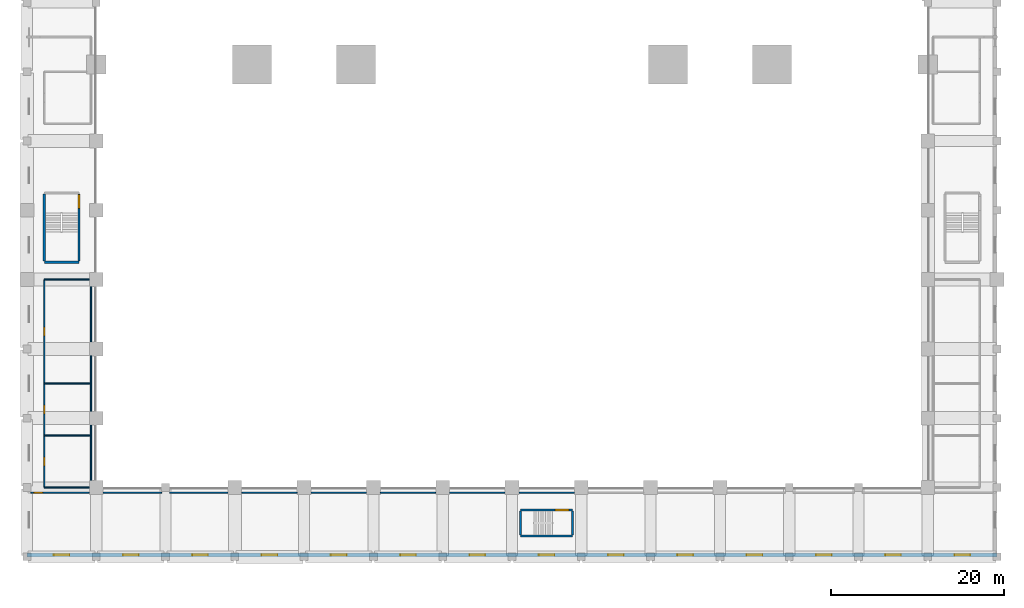
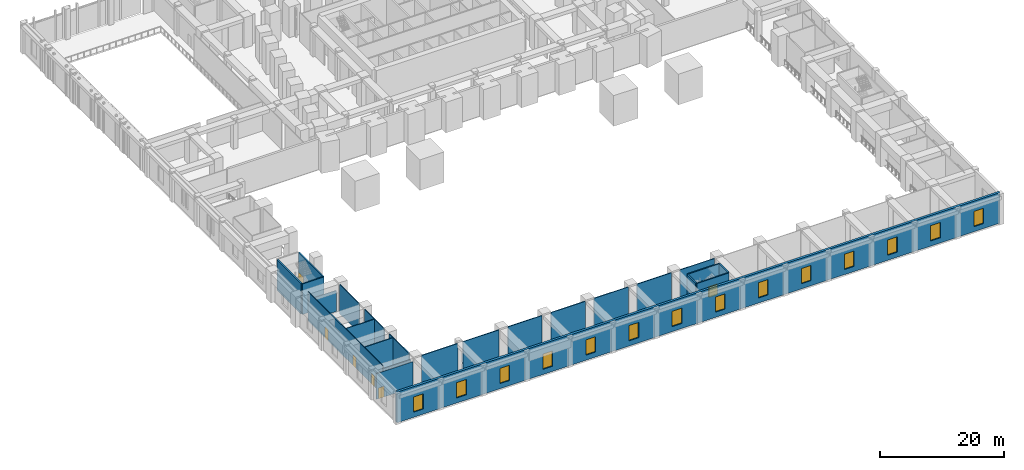
# One storey, part 6 of 25: 24 walls, 14 windows, 6 doors, 20 openings.
"""IFC4 building model written with IfcOpenShell, lengths in metres."""

from ifc_helpers import new_model, si_unit, direction, frame, frame_2d, origin, place, context, subcontext, project, spatial, rectangle, extrude, material, layer, layer_set, type_object, element, fill, save


model = new_model("IFC4")

# Units and contexts
model_context = context("Model", 3, precision=1e-05, world=origin(), true_north=direction((0.0, 1.0)))
body_context = subcontext(model_context, "Body", "Model", "MODEL_VIEW")
ifc_project = project(units=[si_unit("LENGTHUNIT", "METRE"), si_unit("AREAUNIT", "SQUARE_METRE"), si_unit("VOLUMEUNIT", "CUBIC_METRE"), si_unit("PLANEANGLEUNIT", "RADIAN"), si_unit("MASSUNIT", "GRAM", prefix="KILO")], contexts=[model_context])

# Site, building, storey
site_placement = place(None, origin())
site = spatial("IfcSite", under=ifc_project, at=site_placement, CompositionType="ELEMENT")
building_placement = place(site_placement, origin())
building = spatial("IfcBuilding", under=site, at=building_placement, Name="Isbrekke Arena Tower", CompositionType="ELEMENT")
storey_placement = place(building_placement, frame((0.0, 0.0, 6.0)))
storey = spatial("IfcBuildingStorey", under=building, at=storey_placement, Name="L01", CompositionType="ELEMENT", Elevation=6.0)

# Wall, openings, windows
ifc_material_1 = material(Name="Pale brick facing on concrete backing wall", Category="masonry")
ifc_layer_1 = layer(ifc_material_1, 0.449951171875)
ifc_layer_set_1 = layer_set([ifc_layer_1], Name="EW1 PODIUM BRICK WALL 450")
wall_type_1 = type_object("IfcWallType", Name="EW1 PODIUM BRICK WALL 450", PredefinedType="SOLIDWALL", material=ifc_layer_set_1)
wall_1_placement = place(storey_placement, frame((-56.0, -73.77490234375, 0.0), z_axis=(0.0, 0.0, 1.0), x_axis=(1.0, 0.0, 0.0)))
wall_1 = element("IfcWall", 1, at=wall_1_placement, inside=storey, type_object=wall_type_1, Name="EW1 podium wall S L01", PredefinedType="SOLIDWALL", context=body_context, shape_type="SweptSolid", body=[
    extrude(rectangle(XDim=112.0, YDim=0.449951171875, at=frame_2d((56.0, 0.0))), origin(), (0.0, 0.0, 1.0), 6.0),
])
opening_1_placement = place(wall_1_placement, frame((3.10009765625, 0.0, 1.0)))
opening_1 = element("IfcOpeningElement", 2, at=opening_1_placement, cuts=wall_1, Name="Opening WN2", PredefinedType="OPENING", context=body_context, shape_type="SweptSolid", body=[
    extrude(rectangle(XDim=1.800048828125, YDim=3.0, at=frame_2d((0.89990234375, 1.5))), frame((0.0, 0.23974609375, 0.0), z_axis=(0.0, -1.0, 0.0), x_axis=(1.0, 0.0, 0.0)), (0.0, 0.0, 1.0), 0.479736328125),
])
opening_2_placement = place(wall_1_placement, frame((11.10009765625, 0.0, 1.0)))
opening_2 = element("IfcOpeningElement", 3, at=opening_2_placement, cuts=wall_1, Name="Opening WN2", PredefinedType="OPENING", context=body_context, shape_type="SweptSolid", body=[
    extrude(rectangle(XDim=1.800048828125, YDim=3.0, at=frame_2d((0.89990234375, 1.5))), frame((0.0, 0.23974609375, 0.0), z_axis=(0.0, -1.0, 0.0), x_axis=(1.0, 0.0, 0.0)), (0.0, 0.0, 1.0), 0.479736328125),
])
opening_3_placement = place(wall_1_placement, frame((19.10009765625, 0.0, 1.0)))
opening_3 = element("IfcOpeningElement", 4, at=opening_3_placement, cuts=wall_1, Name="Opening WN2", PredefinedType="OPENING", context=body_context, shape_type="SweptSolid", body=[
    extrude(rectangle(XDim=1.800048828125, YDim=3.0, at=frame_2d((0.89990234375, 1.5))), frame((0.0, 0.23974609375, 0.0), z_axis=(0.0, -1.0, 0.0), x_axis=(1.0, 0.0, 0.0)), (0.0, 0.0, 1.0), 0.479736328125),
])
opening_4_placement = place(wall_1_placement, frame((27.10009765625, 0.0, 1.0)))
opening_4 = element("IfcOpeningElement", 5, at=opening_4_placement, cuts=wall_1, Name="Opening WN2", PredefinedType="OPENING", context=body_context, shape_type="SweptSolid", body=[
    extrude(rectangle(XDim=1.800048828125, YDim=3.0, at=frame_2d((0.89990234375, 1.5))), frame((0.0, 0.23974609375, 0.0), z_axis=(0.0, -1.0, 0.0), x_axis=(1.0, 0.0, 0.0)), (0.0, 0.0, 1.0), 0.479736328125),
])
opening_5_placement = place(wall_1_placement, frame((35.10009765625, 0.0, 1.0)))
opening_5 = element("IfcOpeningElement", 6, at=opening_5_placement, cuts=wall_1, Name="Opening WN2", PredefinedType="OPENING", context=body_context, shape_type="SweptSolid", body=[
    extrude(rectangle(XDim=1.800048828125, YDim=3.0, at=frame_2d((0.89990234375, 1.5))), frame((0.0, 0.23974609375, 0.0), z_axis=(0.0, -1.0, 0.0), x_axis=(1.0, 0.0, 0.0)), (0.0, 0.0, 1.0), 0.479736328125),
])
opening_6_placement = place(wall_1_placement, frame((43.10009765625, 0.0, 1.0)))
opening_6 = element("IfcOpeningElement", 7, at=opening_6_placement, cuts=wall_1, Name="Opening WN2", PredefinedType="OPENING", context=body_context, shape_type="SweptSolid", body=[
    extrude(rectangle(XDim=1.800048828125, YDim=3.0, at=frame_2d((0.89990234375, 1.5))), frame((0.0, 0.23974609375, 0.0), z_axis=(0.0, -1.0, 0.0), x_axis=(1.0, 0.0, 0.0)), (0.0, 0.0, 1.0), 0.479736328125),
])
opening_7_placement = place(wall_1_placement, frame((51.10009765625, 0.0, 1.0)))
opening_7 = element("IfcOpeningElement", 8, at=opening_7_placement, cuts=wall_1, Name="Opening WN2", PredefinedType="OPENING", context=body_context, shape_type="SweptSolid", body=[
    extrude(rectangle(XDim=1.800048828125, YDim=3.0, at=frame_2d((0.89990234375, 1.5))), frame((0.0, 0.23974609375, 0.0), z_axis=(0.0, -1.0, 0.0), x_axis=(1.0, 0.0, 0.0)), (0.0, 0.0, 1.0), 0.479736328125),
])
opening_8_placement = place(wall_1_placement, frame((59.10009765625, 0.0, 1.0)))
opening_8 = element("IfcOpeningElement", 9, at=opening_8_placement, cuts=wall_1, Name="Opening WN2", PredefinedType="OPENING", context=body_context, shape_type="SweptSolid", body=[
    extrude(rectangle(XDim=1.800048828125, YDim=3.0, at=frame_2d((0.89990234375, 1.5))), frame((0.0, 0.23974609375, 0.0), z_axis=(0.0, -1.0, 0.0), x_axis=(1.0, 0.0, 0.0)), (0.0, 0.0, 1.0), 0.479736328125),
])
opening_9_placement = place(wall_1_placement, frame((67.10009765625, 0.0, 1.0)))
opening_9 = element("IfcOpeningElement", 10, at=opening_9_placement, cuts=wall_1, Name="Opening WN2", PredefinedType="OPENING", context=body_context, shape_type="SweptSolid", body=[
    extrude(rectangle(XDim=1.800048828125, YDim=3.0, at=frame_2d((0.89990234375, 1.5))), frame((0.0, 0.23974609375, 0.0), z_axis=(0.0, -1.0, 0.0), x_axis=(1.0, 0.0, 0.0)), (0.0, 0.0, 1.0), 0.479736328125),
])
opening_10_placement = place(wall_1_placement, frame((75.10009765625, 0.0, 1.0)))
opening_10 = element("IfcOpeningElement", 11, at=opening_10_placement, cuts=wall_1, Name="Opening WN2", PredefinedType="OPENING", context=body_context, shape_type="SweptSolid", body=[
    extrude(rectangle(XDim=1.800048828125, YDim=3.0, at=frame_2d((0.89990234375, 1.5))), frame((0.0, 0.23974609375, 0.0), z_axis=(0.0, -1.0, 0.0), x_axis=(1.0, 0.0, 0.0)), (0.0, 0.0, 1.0), 0.479736328125),
])
opening_11_placement = place(wall_1_placement, frame((83.10009765625, 0.0, 1.0)))
opening_11 = element("IfcOpeningElement", 12, at=opening_11_placement, cuts=wall_1, Name="Opening WN2", PredefinedType="OPENING", context=body_context, shape_type="SweptSolid", body=[
    extrude(rectangle(XDim=1.800048828125, YDim=3.0, at=frame_2d((0.89990234375, 1.5))), frame((0.0, 0.23974609375, 0.0), z_axis=(0.0, -1.0, 0.0), x_axis=(1.0, 0.0, 0.0)), (0.0, 0.0, 1.0), 0.479736328125),
])
opening_12_placement = place(wall_1_placement, frame((91.10009765625, 0.0, 1.0)))
opening_12 = element("IfcOpeningElement", 13, at=opening_12_placement, cuts=wall_1, Name="Opening WN2", PredefinedType="OPENING", context=body_context, shape_type="SweptSolid", body=[
    extrude(rectangle(XDim=1.800048828125, YDim=3.0, at=frame_2d((0.89990234375, 1.5))), frame((0.0, 0.23974609375, 0.0), z_axis=(0.0, -1.0, 0.0), x_axis=(1.0, 0.0, 0.0)), (0.0, 0.0, 1.0), 0.479736328125),
])
opening_13_placement = place(wall_1_placement, frame((99.10009765625, 0.0, 1.0)))
opening_13 = element("IfcOpeningElement", 14, at=opening_13_placement, cuts=wall_1, Name="Opening WN2", PredefinedType="OPENING", context=body_context, shape_type="SweptSolid", body=[
    extrude(rectangle(XDim=1.800048828125, YDim=3.0, at=frame_2d((0.89990234375, 1.5))), frame((0.0, 0.23974609375, 0.0), z_axis=(0.0, -1.0, 0.0), x_axis=(1.0, 0.0, 0.0)), (0.0, 0.0, 1.0), 0.479736328125),
])
opening_14_placement = place(wall_1_placement, frame((107.10009765625, 0.0, 1.0)))
opening_14 = element("IfcOpeningElement", 15, at=opening_14_placement, cuts=wall_1, Name="Opening WN2", PredefinedType="OPENING", context=body_context, shape_type="SweptSolid", body=[
    extrude(rectangle(XDim=1.800048828125, YDim=3.0, at=frame_2d((0.89990234375, 1.5))), frame((0.0, 0.23974609375, 0.0), z_axis=(0.0, -1.0, 0.0), x_axis=(1.0, 0.0, 0.0)), (0.0, 0.0, 1.0), 0.479736328125),
])
ifc_material_2 = material(Name="Timber-aluminium window, triple glazed", Category="wood")
window_type = type_object("IfcWindowType", Name="WN2 PODIUM WINDOW 1800 x 3000", PartitioningType="SINGLE_PANEL", PredefinedType="WINDOW", material=ifc_material_2)
window_1_placement = place(opening_1_placement, origin())
window_1 = element("IfcWindow", 16, at=window_1_placement, inside=storey, type_object=window_type, Name="WN2 podium window S-1", OverallHeight=3.0, OverallWidth=1.800048828125, PartitioningType="SINGLE_PANEL", PredefinedType="WINDOW", context=body_context, shape_type="SweptSolid", body=[
    extrude(rectangle(XDim=1.800048828125, YDim=3.0, at=frame_2d((0.89990234375, 1.5))), frame((0.0, 0.030029296875, 0.0), z_axis=(0.0, -1.0, 0.0), x_axis=(1.0, 0.0, 0.0)), (0.0, 0.0, 1.0), 0.06005859375),
])
fill(opening_1, window_1)
window_2_placement = place(opening_2_placement, origin())
window_2 = element("IfcWindow", 17, at=window_2_placement, inside=storey, type_object=window_type, Name="WN2 podium window S-2", OverallHeight=3.0, OverallWidth=1.800048828125, PartitioningType="SINGLE_PANEL", PredefinedType="WINDOW", context=body_context, shape_type="SweptSolid", body=[
    extrude(rectangle(XDim=1.800048828125, YDim=3.0, at=frame_2d((0.89990234375, 1.5))), frame((0.0, 0.030029296875, 0.0), z_axis=(0.0, -1.0, 0.0), x_axis=(1.0, 0.0, 0.0)), (0.0, 0.0, 1.0), 0.06005859375),
])
fill(opening_2, window_2)
window_3_placement = place(opening_3_placement, origin())
window_3 = element("IfcWindow", 18, at=window_3_placement, inside=storey, type_object=window_type, Name="WN2 podium window S-3", OverallHeight=3.0, OverallWidth=1.800048828125, PartitioningType="SINGLE_PANEL", PredefinedType="WINDOW", context=body_context, shape_type="SweptSolid", body=[
    extrude(rectangle(XDim=1.800048828125, YDim=3.0, at=frame_2d((0.89990234375, 1.5))), frame((0.0, 0.030029296875, 0.0), z_axis=(0.0, -1.0, 0.0), x_axis=(1.0, 0.0, 0.0)), (0.0, 0.0, 1.0), 0.06005859375),
])
fill(opening_3, window_3)
window_4_placement = place(opening_4_placement, origin())
window_4 = element("IfcWindow", 19, at=window_4_placement, inside=storey, type_object=window_type, Name="WN2 podium window S-4", OverallHeight=3.0, OverallWidth=1.800048828125, PartitioningType="SINGLE_PANEL", PredefinedType="WINDOW", context=body_context, shape_type="SweptSolid", body=[
    extrude(rectangle(XDim=1.800048828125, YDim=3.0, at=frame_2d((0.89990234375, 1.5))), frame((0.0, 0.030029296875, 0.0), z_axis=(0.0, -1.0, 0.0), x_axis=(1.0, 0.0, 0.0)), (0.0, 0.0, 1.0), 0.06005859375),
])
fill(opening_4, window_4)
window_5_placement = place(opening_5_placement, origin())
window_5 = element("IfcWindow", 20, at=window_5_placement, inside=storey, type_object=window_type, Name="WN2 podium window S-5", OverallHeight=3.0, OverallWidth=1.800048828125, PartitioningType="SINGLE_PANEL", PredefinedType="WINDOW", context=body_context, shape_type="SweptSolid", body=[
    extrude(rectangle(XDim=1.800048828125, YDim=3.0, at=frame_2d((0.89990234375, 1.5))), frame((0.0, 0.030029296875, 0.0), z_axis=(0.0, -1.0, 0.0), x_axis=(1.0, 0.0, 0.0)), (0.0, 0.0, 1.0), 0.06005859375),
])
fill(opening_5, window_5)
window_6_placement = place(opening_6_placement, origin())
window_6 = element("IfcWindow", 21, at=window_6_placement, inside=storey, type_object=window_type, Name="WN2 podium window S-6", OverallHeight=3.0, OverallWidth=1.800048828125, PartitioningType="SINGLE_PANEL", PredefinedType="WINDOW", context=body_context, shape_type="SweptSolid", body=[
    extrude(rectangle(XDim=1.800048828125, YDim=3.0, at=frame_2d((0.89990234375, 1.5))), frame((0.0, 0.030029296875, 0.0), z_axis=(0.0, -1.0, 0.0), x_axis=(1.0, 0.0, 0.0)), (0.0, 0.0, 1.0), 0.06005859375),
])
fill(opening_6, window_6)
window_7_placement = place(opening_7_placement, origin())
window_7 = element("IfcWindow", 22, at=window_7_placement, inside=storey, type_object=window_type, Name="WN2 podium window S-7", OverallHeight=3.0, OverallWidth=1.800048828125, PartitioningType="SINGLE_PANEL", PredefinedType="WINDOW", context=body_context, shape_type="SweptSolid", body=[
    extrude(rectangle(XDim=1.800048828125, YDim=3.0, at=frame_2d((0.89990234375, 1.5))), frame((0.0, 0.030029296875, 0.0), z_axis=(0.0, -1.0, 0.0), x_axis=(1.0, 0.0, 0.0)), (0.0, 0.0, 1.0), 0.06005859375),
])
fill(opening_7, window_7)
window_8_placement = place(opening_8_placement, origin())
window_8 = element("IfcWindow", 23, at=window_8_placement, inside=storey, type_object=window_type, Name="WN2 podium window S-8", OverallHeight=3.0, OverallWidth=1.800048828125, PartitioningType="SINGLE_PANEL", PredefinedType="WINDOW", context=body_context, shape_type="SweptSolid", body=[
    extrude(rectangle(XDim=1.800048828125, YDim=3.0, at=frame_2d((0.89990234375, 1.5))), frame((0.0, 0.030029296875, 0.0), z_axis=(0.0, -1.0, 0.0), x_axis=(1.0, 0.0, 0.0)), (0.0, 0.0, 1.0), 0.06005859375),
])
fill(opening_8, window_8)
window_9_placement = place(opening_9_placement, origin())
window_9 = element("IfcWindow", 24, at=window_9_placement, inside=storey, type_object=window_type, Name="WN2 podium window S-9", OverallHeight=3.0, OverallWidth=1.800048828125, PartitioningType="SINGLE_PANEL", PredefinedType="WINDOW", context=body_context, shape_type="SweptSolid", body=[
    extrude(rectangle(XDim=1.800048828125, YDim=3.0, at=frame_2d((0.89990234375, 1.5))), frame((0.0, 0.030029296875, 0.0), z_axis=(0.0, -1.0, 0.0), x_axis=(1.0, 0.0, 0.0)), (0.0, 0.0, 1.0), 0.06005859375),
])
fill(opening_9, window_9)
window_10_placement = place(opening_10_placement, origin())
window_10 = element("IfcWindow", 25, at=window_10_placement, inside=storey, type_object=window_type, Name="WN2 podium window S-10", OverallHeight=3.0, OverallWidth=1.800048828125, PartitioningType="SINGLE_PANEL", PredefinedType="WINDOW", context=body_context, shape_type="SweptSolid", body=[
    extrude(rectangle(XDim=1.800048828125, YDim=3.0, at=frame_2d((0.89990234375, 1.5))), frame((0.0, 0.030029296875, 0.0), z_axis=(0.0, -1.0, 0.0), x_axis=(1.0, 0.0, 0.0)), (0.0, 0.0, 1.0), 0.06005859375),
])
fill(opening_10, window_10)
window_11_placement = place(opening_11_placement, origin())
window_11 = element("IfcWindow", 26, at=window_11_placement, inside=storey, type_object=window_type, Name="WN2 podium window S-11", OverallHeight=3.0, OverallWidth=1.800048828125, PartitioningType="SINGLE_PANEL", PredefinedType="WINDOW", context=body_context, shape_type="SweptSolid", body=[
    extrude(rectangle(XDim=1.800048828125, YDim=3.0, at=frame_2d((0.89990234375, 1.5))), frame((0.0, 0.030029296875, 0.0), z_axis=(0.0, -1.0, 0.0), x_axis=(1.0, 0.0, 0.0)), (0.0, 0.0, 1.0), 0.06005859375),
])
fill(opening_11, window_11)
window_12_placement = place(opening_12_placement, origin())
window_12 = element("IfcWindow", 27, at=window_12_placement, inside=storey, type_object=window_type, Name="WN2 podium window S-12", OverallHeight=3.0, OverallWidth=1.800048828125, PartitioningType="SINGLE_PANEL", PredefinedType="WINDOW", context=body_context, shape_type="SweptSolid", body=[
    extrude(rectangle(XDim=1.800048828125, YDim=3.0, at=frame_2d((0.89990234375, 1.5))), frame((0.0, 0.030029296875, 0.0), z_axis=(0.0, -1.0, 0.0), x_axis=(1.0, 0.0, 0.0)), (0.0, 0.0, 1.0), 0.06005859375),
])
fill(opening_12, window_12)
window_13_placement = place(opening_13_placement, origin())
window_13 = element("IfcWindow", 28, at=window_13_placement, inside=storey, type_object=window_type, Name="WN2 podium window S-13", OverallHeight=3.0, OverallWidth=1.800048828125, PartitioningType="SINGLE_PANEL", PredefinedType="WINDOW", context=body_context, shape_type="SweptSolid", body=[
    extrude(rectangle(XDim=1.800048828125, YDim=3.0, at=frame_2d((0.89990234375, 1.5))), frame((0.0, 0.030029296875, 0.0), z_axis=(0.0, -1.0, 0.0), x_axis=(1.0, 0.0, 0.0)), (0.0, 0.0, 1.0), 0.06005859375),
])
fill(opening_13, window_13)
window_14_placement = place(opening_14_placement, origin())
window_14 = element("IfcWindow", 29, at=window_14_placement, inside=storey, type_object=window_type, Name="WN2 podium window S-14", OverallHeight=3.0, OverallWidth=1.800048828125, PartitioningType="SINGLE_PANEL", PredefinedType="WINDOW", context=body_context, shape_type="SweptSolid", body=[
    extrude(rectangle(XDim=1.800048828125, YDim=3.0, at=frame_2d((0.89990234375, 1.5))), frame((0.0, 0.030029296875, 0.0), z_axis=(0.0, -1.0, 0.0), x_axis=(1.0, 0.0, 0.0)), (0.0, 0.0, 1.0), 0.06005859375),
])
fill(opening_14, window_14)

# Wall, openings, doors
ifc_material_3 = material(Name="Gypsum board partition on steel studs", Category="steel")
ifc_layer_2 = layer(ifc_material_3, 0.14990234375)
ifc_layer_set_2 = layer_set([ifc_layer_2], Name="IW1 PARTITION 150")
wall_type_2 = type_object("IfcWallType", Name="IW1 PARTITION 150", PredefinedType="PARTITIONING", material=ifc_layer_set_2)
wall_2_placement = place(storey_placement, frame((-54.0, -66.0, 0.0), z_axis=(0.0, 0.0, 1.0), x_axis=(0.0, 1.0, 0.0)))
wall_2 = element("IfcWall", 30, at=wall_2_placement, inside=storey, type_object=wall_type_2, Name="IW1 partition L01", PredefinedType="PARTITIONING", context=body_context, shape_type="SweptSolid", body=[
    extrude(rectangle(XDim=24.0, YDim=0.14990234375, at=frame_2d((12.0, 0.0))), origin(), (0.0, 0.0, 1.0), 5.699951171875),
])
opening_15_placement = place(wall_2_placement, frame((2.5, 0.0, 0.0)))
opening_15 = element("IfcOpeningElement", 31, at=opening_15_placement, cuts=wall_2, Name="Opening D6", PredefinedType="OPENING", context=body_context, shape_type="SweptSolid", body=[
    extrude(rectangle(XDim=1.0, YDim=2.10009765625, at=frame_2d((0.5, 1.050048828125))), frame((0.0, 0.08984375, 0.0), z_axis=(0.0, -1.0, 0.0), x_axis=(1.0, 0.0, 0.0)), (0.0, 0.0, 1.0), 0.1796875),
])
opening_16_placement = place(wall_2_placement, frame((8.5, 0.0, 0.0)))
opening_16 = element("IfcOpeningElement", 32, at=opening_16_placement, cuts=wall_2, Name="Opening D6", PredefinedType="OPENING", context=body_context, shape_type="SweptSolid", body=[
    extrude(rectangle(XDim=1.0, YDim=2.10009765625, at=frame_2d((0.5, 1.050048828125))), frame((0.0, 0.08984375, 0.0), z_axis=(0.0, -1.0, 0.0), x_axis=(1.0, 0.0, 0.0)), (0.0, 0.0, 1.0), 0.1796875),
])
opening_17_placement = place(wall_2_placement, frame((17.5, 0.0, 0.0)))
opening_17 = element("IfcOpeningElement", 33, at=opening_17_placement, cuts=wall_2, Name="Opening D6", PredefinedType="OPENING", context=body_context, shape_type="SweptSolid", body=[
    extrude(rectangle(XDim=1.0, YDim=2.10009765625, at=frame_2d((0.5, 1.050048828125))), frame((0.0, 0.08984375, 0.0), z_axis=(0.0, -1.0, 0.0), x_axis=(1.0, 0.0, 0.0)), (0.0, 0.0, 1.0), 0.1796875),
])
ifc_material_4 = material(Name="Timber door", Category="wood")
door_type_1 = type_object("IfcDoorType", Name="D6 ROOM DOOR 1000 x 2100", OperationType="SINGLE_SWING_LEFT", PredefinedType="DOOR", material=ifc_material_4)
door_1_placement = place(opening_15_placement, origin())
door_1 = element("IfcDoor", 34, at=door_1_placement, inside=storey, type_object=door_type_1, Name="D6 door L01-03", OperationType="SINGLE_SWING_LEFT", OverallHeight=2.10009765625, OverallWidth=1.0, PredefinedType="DOOR", context=body_context, shape_type="SweptSolid", body=[
    extrude(rectangle(XDim=1.0, YDim=2.10009765625, at=frame_2d((0.5, 1.050048828125))), frame((0.0, 0.07470703125, 0.0), z_axis=(0.0, -1.0, 0.0), x_axis=(1.0, 0.0, 0.0)), (0.0, 0.0, 1.0), 0.1494140625),
])
fill(opening_15, door_1)
door_2_placement = place(opening_16_placement, origin())
door_2 = element("IfcDoor", 35, at=door_2_placement, inside=storey, type_object=door_type_1, Name="D6 door L01-05", OperationType="SINGLE_SWING_LEFT", OverallHeight=2.10009765625, OverallWidth=1.0, PredefinedType="DOOR", context=body_context, shape_type="SweptSolid", body=[
    extrude(rectangle(XDim=1.0, YDim=2.10009765625, at=frame_2d((0.5, 1.050048828125))), frame((0.0, 0.07470703125, 0.0), z_axis=(0.0, -1.0, 0.0), x_axis=(1.0, 0.0, 0.0)), (0.0, 0.0, 1.0), 0.1494140625),
])
fill(opening_16, door_2)
door_3_placement = place(opening_17_placement, origin())
door_3 = element("IfcDoor", 36, at=door_3_placement, inside=storey, type_object=door_type_1, Name="D6 door L01-08", OperationType="SINGLE_SWING_LEFT", OverallHeight=2.10009765625, OverallWidth=1.0, PredefinedType="DOOR", context=body_context, shape_type="SweptSolid", body=[
    extrude(rectangle(XDim=1.0, YDim=2.10009765625, at=frame_2d((0.5, 1.050048828125))), frame((0.0, 0.07470703125, 0.0), z_axis=(0.0, -1.0, 0.0), x_axis=(1.0, 0.0, 0.0)), (0.0, 0.0, 1.0), 0.1494140625),
])
fill(opening_17, door_3)

# Walls
for number, where, z_axis, x_axis, name in (
    (37, (-48.60009765625, -65.18994140625, 0.0), (0.0, 0.0, 1.0), (0.0, 1.0, 0.0), "IW1 partition L01"),
    (38, (-48.60009765625, -57.18994140625, 0.0), (0.0, 0.0, 1.0), (0.0, 1.0, 0.0), "IW1 partition L01"),
    (39, (-48.60009765625, -49.18994140625, 0.0), (0.0, 0.0, 1.0), (0.0, 1.0, 0.0), "IW1 partition L01"),
):
    element("IfcWall", number, at=place(storey_placement, frame(where, z_axis=z_axis, x_axis=x_axis)), inside=storey, type_object=wall_type_2, Name=name, PredefinedType="PARTITIONING", context=body_context, shape_type="SweptSolid", body=[
        extrude(rectangle(XDim=6.3798828125, YDim=0.14990234375, at=frame_2d((3.18994140625, 0.0))), origin(), (0.0, 0.0, 1.0), 5.699951171875),
    ])

# Wall, opening, door
wall_3_placement = place(storey_placement, frame((-55.5400390625, -66.60009765625, 0.0), z_axis=(0.0, 0.0, 1.0), x_axis=(1.0, 0.0, 0.0)))
wall_3 = element("IfcWall", 40, at=wall_3_placement, inside=storey, type_object=wall_type_2, Name="IW1 partition L01", PredefinedType="PARTITIONING", context=body_context, shape_type="SweptSolid", body=[
    extrude(rectangle(XDim=6.72998046875, YDim=0.14990234375, at=frame_2d((3.364990234375, 0.0))), origin(), (0.0, 0.0, 1.0), 5.050048828125),
])
opening_18_placement = place(wall_3_placement, frame((0.340087890625, 0.0, 0.0)))
opening_18 = element("IfcOpeningElement", 41, at=opening_18_placement, cuts=wall_3, Name="Opening D6", PredefinedType="OPENING", context=body_context, shape_type="SweptSolid", body=[
    extrude(rectangle(XDim=1.0, YDim=2.10009765625, at=frame_2d((0.5, 1.050048828125))), frame((0.0, 0.08984375, 0.0), z_axis=(0.0, -1.0, 0.0), x_axis=(1.0, 0.0, 0.0)), (0.0, 0.0, 1.0), 0.1796875),
])
door_4_placement = place(opening_18_placement, origin())
door_4 = element("IfcDoor", 42, at=door_4_placement, inside=storey, type_object=door_type_1, Name="D6 door L01-01", OperationType="SINGLE_SWING_LEFT", OverallHeight=2.10009765625, OverallWidth=1.0, PredefinedType="DOOR", context=body_context, shape_type="SweptSolid", body=[
    extrude(rectangle(XDim=1.0, YDim=2.10009765625, at=frame_2d((0.5, 1.050048828125))), frame((0.0, 0.07470703125, 0.0), z_axis=(0.0, -1.0, 0.0), x_axis=(1.0, 0.0, 0.0)), (0.0, 0.0, 1.0), 0.1494140625),
])
fill(opening_18, door_4)

# Walls
for number, where, z_axis, x_axis, name in (
    (43, (-47.18994140625, -66.60009765625, 0.0), (0.0, 0.0, 1.0), (1.0, 0.0, 0.0), "IW1 partition L01"),
    (44, (-39.5400390625, -66.60009765625, 0.0), (0.0, 0.0, 1.0), (1.0, 0.0, 0.0), "IW1 partition L01"),
):
    element("IfcWall", number, at=place(storey_placement, frame(where, z_axis=z_axis, x_axis=x_axis)), inside=storey, type_object=wall_type_2, Name=name, PredefinedType="PARTITIONING", context=body_context, shape_type="SweptSolid", body=[
        extrude(rectangle(XDim=6.72998046875, YDim=0.14990234375, at=frame_2d((3.364990234375, 0.0))), origin(), (0.0, 0.0, 1.0), 5.699951171875),
    ])
for number, where, z_axis, x_axis, name in (
    (45, (-31.18994140625, -66.60009765625, 0.0), (0.0, 0.0, 1.0), (1.0, 0.0, 0.0), "IW1 partition L01"),
    (46, (-23.18994140625, -66.60009765625, 0.0), (0.0, 0.0, 1.0), (1.0, 0.0, 0.0), "IW1 partition L01"),
    (47, (-15.18994140625, -66.60009765625, 0.0), (0.0, 0.0, 1.0), (1.0, 0.0, 0.0), "IW1 partition L01"),
    (48, (-7.18994140625, -66.60009765625, 0.0), (0.0, 0.0, 1.0), (1.0, 0.0, 0.0), "IW1 partition L01"),
    (49, (0.81005859375, -66.60009765625, 0.0), (0.0, 0.0, 1.0), (1.0, 0.0, 0.0), "IW1 partition L01"),
):
    element("IfcWall", number, at=place(storey_placement, frame(where, z_axis=z_axis, x_axis=x_axis)), inside=storey, type_object=wall_type_2, Name=name, PredefinedType="PARTITIONING", context=body_context, shape_type="SweptSolid", body=[
        extrude(rectangle(XDim=6.3798828125, YDim=0.14990234375, at=frame_2d((3.18994140625, 0.0))), origin(), (0.0, 0.0, 1.0), 5.699951171875),
    ])
wall_4_placement = place(storey_placement, frame((-54.0, -66.0, 0.0), z_axis=(0.0, 0.0, 1.0), x_axis=(1.0, 0.0, 0.0)))
element("IfcWall", 50, at=wall_4_placement, inside=storey, type_object=wall_type_2, Name="IW1 partition L01", PredefinedType="PARTITIONING", context=body_context, shape_type="SweptSolid", body=[
    extrude(rectangle(XDim=5.18994140625, YDim=0.14990234375, at=frame_2d((2.594970703125, 0.0))), origin(), (0.0, 0.0, 1.0), 5.050048828125),
])
for number, where, z_axis, x_axis, name in (
    (51, (-54.0, -60.0, 0.0), (0.0, 0.0, 1.0), (1.0, 0.0, 0.0), "IW1 partition L01"),
    (52, (-54.0, -54.0, 0.0), (0.0, 0.0, 1.0), (1.0, 0.0, 0.0), "IW1 partition L01"),
):
    element("IfcWall", number, at=place(storey_placement, frame(where, z_axis=z_axis, x_axis=x_axis)), inside=storey, type_object=wall_type_2, Name=name, PredefinedType="PARTITIONING", context=body_context, shape_type="SweptSolid", body=[
        extrude(rectangle(XDim=5.39990234375, YDim=0.14990234375, at=frame_2d((2.699951171875, 0.0))), origin(), (0.0, 0.0, 1.0), 5.699951171875),
    ])
wall_5_placement = place(storey_placement, frame((-54.0, -42.0, 0.0), z_axis=(0.0, 0.0, 1.0), x_axis=(1.0, 0.0, 0.0)))
element("IfcWall", 53, at=wall_5_placement, inside=storey, type_object=wall_type_2, Name="IW1 partition L01", PredefinedType="PARTITIONING", context=body_context, shape_type="SweptSolid", body=[
    extrude(rectangle(XDim=5.18994140625, YDim=0.14990234375, at=frame_2d((2.594970703125, 0.0))), origin(), (0.0, 0.0, 1.0), 4.10009765625),
])
ifc_material_5 = material(Name="Concrete B45 (C45/55)", Category="concrete")
ifc_layer_3 = layer(ifc_material_5, 0.25)
ifc_layer_set_3 = layer_set([ifc_layer_3], Name="SW1 STAIR ENCLOSURE WALL 250")
wall_type_3 = type_object("IfcWallType", Name="SW1 STAIR ENCLOSURE WALL 250", PredefinedType="SOLIDWALL", material=ifc_layer_set_3)
wall_6_placement = place(storey_placement, frame((-54.0, -40.0, 0.0), z_axis=(0.0, 0.0, 1.0), x_axis=(1.0, 0.0, 0.0)))
element("IfcWall", 54, at=wall_6_placement, inside=storey, type_object=wall_type_3, Name="SW1 stair wall P4 S L01", PredefinedType="SOLIDWALL", context=body_context, shape_type="SweptSolid", body=[
    extrude(rectangle(XDim=4.0, YDim=0.25, at=frame_2d((2.0, 0.0))), origin(), (0.0, 0.0, 1.0), 6.0),
])

# Wall, opening, door
wall_7_placement = place(storey_placement, frame((-50.0, -39.875, 0.0), z_axis=(0.0, 0.0, 1.0), x_axis=(0.0, 1.0, 0.0)))
wall_7 = element("IfcWall", 55, at=wall_7_placement, inside=storey, type_object=wall_type_3, Name="SW1 stair wall P4 E L01", PredefinedType="SOLIDWALL", context=body_context, shape_type="SweptSolid", body=[
    extrude(rectangle(XDim=7.75, YDim=0.25, at=frame_2d((3.875, 0.0))), origin(), (0.0, 0.0, 1.0), 6.0),
])
opening_19_placement = place(wall_7_placement, frame((6.10009765625, 0.0, 0.0)))
opening_19 = element("IfcOpeningElement", 56, at=opening_19_placement, cuts=wall_7, Name="Opening D7", PredefinedType="OPENING", context=body_context, shape_type="SweptSolid", body=[
    extrude(rectangle(XDim=1.60009765625, YDim=2.10009765625, at=frame_2d((0.800048828125, 1.050048828125))), frame((0.0, 0.139892578125, 0.0), z_axis=(0.0, -1.0, 0.0), x_axis=(1.0, 0.0, 0.0)), (0.0, 0.0, 1.0), 0.27978515625),
])
ifc_material_6 = material(Name="Steel fire door", Category="steel")
door_type_2 = type_object("IfcDoorType", Name="D7 PODIUM STAIR DOOR 1600 x 2100", OperationType="DOUBLE_DOOR_SINGLE_SWING", PredefinedType="DOOR", material=ifc_material_6)
door_5_placement = place(opening_19_placement, origin())
door_5 = element("IfcDoor", 57, at=door_5_placement, inside=storey, type_object=door_type_2, Name="D7 stair door P4 L01", OperationType="DOUBLE_DOOR_SINGLE_SWING", OverallHeight=2.10009765625, OverallWidth=1.60009765625, PredefinedType="DOOR", context=body_context, shape_type="SweptSolid", body=[
    extrude(rectangle(XDim=1.60009765625, YDim=2.10009765625, at=frame_2d((0.800048828125, 1.050048828125))), frame((0.0, 0.124755859375, 0.0), z_axis=(0.0, -1.0, 0.0), x_axis=(1.0, 0.0, 0.0)), (0.0, 0.0, 1.0), 0.24951171875),
])
fill(opening_19, door_5)

# Walls
wall_8_placement = place(storey_placement, frame((-54.0, -32.125, 0.0), z_axis=(0.0, 0.0, 1.0), x_axis=(0.0, -1.0, 0.0)))
element("IfcWall", 58, at=wall_8_placement, inside=storey, type_object=wall_type_3, Name="SW1 stair wall P4 W L01", PredefinedType="SOLIDWALL", context=body_context, shape_type="SweptSolid", body=[
    extrude(rectangle(XDim=7.75, YDim=0.25, at=frame_2d((3.875, 0.0))), origin(), (0.0, 0.0, 1.0), 6.0),
])
wall_9_placement = place(storey_placement, frame((1.0, -71.60009765625, 0.0), z_axis=(0.0, 0.0, 1.0), x_axis=(1.0, 0.0, 0.0)))
element("IfcWall", 59, at=wall_9_placement, inside=storey, type_object=wall_type_3, Name="SW1 stair wall P5 S L01", PredefinedType="SOLIDWALL", context=body_context, shape_type="SweptSolid", body=[
    extrude(rectangle(XDim=6.0, YDim=0.25, at=frame_2d((3.0, 0.0))), origin(), (0.0, 0.0, 1.0), 6.0),
])

# Wall, opening, door
wall_10_placement = place(storey_placement, frame((7.0, -68.60009765625, 0.0), z_axis=(0.0, 0.0, 1.0), x_axis=(-1.0, 0.0, 0.0)))
wall_10 = element("IfcWall", 60, at=wall_10_placement, inside=storey, type_object=wall_type_3, Name="SW1 stair wall P5 N L01", PredefinedType="SOLIDWALL", context=body_context, shape_type="SweptSolid", body=[
    extrude(rectangle(XDim=6.0, YDim=0.25, at=frame_2d((3.0, 0.0))), origin(), (0.0, 0.0, 1.0), 6.0),
])
opening_20_placement = place(wall_10_placement, frame((0.425048828125, 0.0, 0.0)))
opening_20 = element("IfcOpeningElement", 61, at=opening_20_placement, cuts=wall_10, Name="Opening D7", PredefinedType="OPENING", context=body_context, shape_type="SweptSolid", body=[
    extrude(rectangle(XDim=1.60009765625, YDim=2.10009765625, at=frame_2d((0.800048828125, 1.050048828125))), frame((0.0, 0.139892578125, 0.0), z_axis=(0.0, -1.0, 0.0), x_axis=(1.0, 0.0, 0.0)), (0.0, 0.0, 1.0), 0.27978515625),
])
door_6_placement = place(opening_20_placement, origin())
door_6 = element("IfcDoor", 62, at=door_6_placement, inside=storey, type_object=door_type_2, Name="D7 stair door P5 L01", OperationType="DOUBLE_DOOR_SINGLE_SWING", OverallHeight=2.10009765625, OverallWidth=1.60009765625, PredefinedType="DOOR", context=body_context, shape_type="SweptSolid", body=[
    extrude(rectangle(XDim=1.60009765625, YDim=2.10009765625, at=frame_2d((0.800048828125, 1.050048828125))), frame((0.0, 0.124755859375, 0.0), z_axis=(0.0, -1.0, 0.0), x_axis=(1.0, 0.0, 0.0)), (0.0, 0.0, 1.0), 0.24951171875),
])
fill(opening_20, door_6)

# Walls
for number, where, z_axis, x_axis, name in (
    (63, (7.0, -71.47509765625, 0.0), (0.0, 0.0, 1.0), (0.0, 1.0, 0.0), "SW1 stair wall P5 E L01"),
    (64, (1.0, -68.72509765625, 0.0), (0.0, 0.0, 1.0), (0.0, -1.0, 0.0), "SW1 stair wall P5 W L01"),
):
    element("IfcWall", number, at=place(storey_placement, frame(where, z_axis=z_axis, x_axis=x_axis)), inside=storey, type_object=wall_type_3, Name=name, PredefinedType="SOLIDWALL", context=body_context, shape_type="SweptSolid", body=[
        extrude(rectangle(XDim=2.75, YDim=0.25, at=frame_2d((1.375, 0.0))), origin(), (0.0, 0.0, 1.0), 6.0),
    ])

save(model, "model.ifc")
